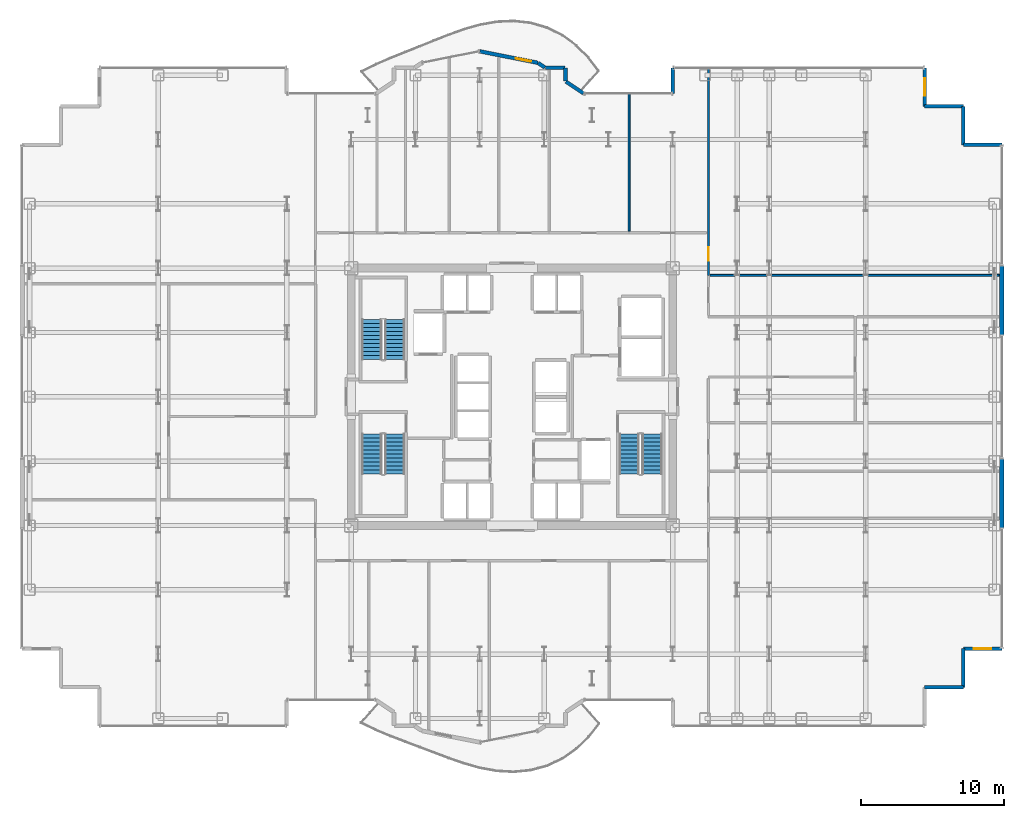
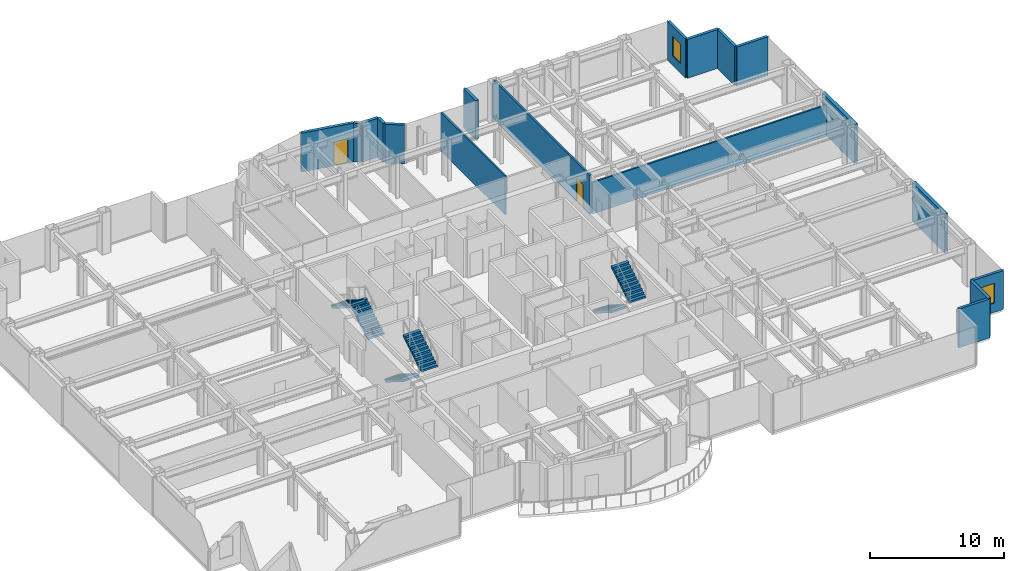
# One storey, part 27 of 29: 18 walls, 6 stair flights, 2 doors, 2 windows, 4 openings, 3 elements without a shape of their own.
"""IFC4 building model written with IfcOpenShell, lengths in metres."""

from ifc_helpers import new_model, si_unit, direction, frame, frame_2d, origin, place, context, subcontext, project, spatial, polyline, rectangle, outline, extrude, source, transform, mapped, material, layer, layer_set, type_object, element, fill, aggregate, save


model = new_model("IFC4")

# Units and contexts
model_context = context("Model", 3, precision=1e-05, world=origin(), true_north=direction((0.0, 1.0)))
body_context = subcontext(model_context, "Body", "Model", "MODEL_VIEW")
ifc_project = project(units=[si_unit("LENGTHUNIT", "METRE"), si_unit("AREAUNIT", "SQUARE_METRE"), si_unit("VOLUMEUNIT", "CUBIC_METRE"), si_unit("PLANEANGLEUNIT", "RADIAN"), si_unit("MASSUNIT", "GRAM", prefix="KILO")], contexts=[model_context])

# Site, building, storey
site_placement = place(None, origin())
site = spatial("IfcSite", under=ifc_project, at=site_placement, CompositionType="ELEMENT")
building_placement = place(site_placement, origin())
building = spatial("IfcBuilding", under=site, at=building_placement, Name="Nefas-Gora Pilgrimage Tower", CompositionType="ELEMENT")
storey_placement = place(building_placement, frame((0.0, 0.0, 136.39990234375)))
storey = spatial("IfcBuildingStorey", under=building, at=storey_placement, Name="L33", CompositionType="ELEMENT", Elevation=136.39990234375)

# Walls
ifc_material_1 = material(Name="Precast concrete C45/55", Category="concrete")
ifc_layer_1 = layer(ifc_material_1, 0.239990234375)
ifc_layer_set_1 = layer_set([ifc_layer_1], Name="Precast concrete C45/55")
wall_type_1 = type_object("IfcWallType", Name="EW-SERR-240", PredefinedType="SHEAR", material=ifc_layer_set_1)
shared_shape_1 = source(origin(), body_context, "Body", "SweptSolid", [
    extrude(rectangle(XDim=4.8798828125, YDim=0.300048828125, at=frame_2d((2.43994140625, 0.0))), origin(), (0.0, 0.0, 1.0), 3.550048828125),
])
for number, where, z_axis, x_axis, name in (
    (1, (34.27001953125, -9.18994140625, 0.0), (0.0, 0.0, 1.0), (0.0, 1.0, 0.0), "L33 Braced-Tube Precast Shear Cladding 3"),
    (2, (34.27001953125, 4.31005859375, 0.0), (0.0, 0.0, 1.0), (0.0, 1.0, 0.0), "L33 Braced-Tube Precast Shear Cladding 4"),
):
    element("IfcWall", number, at=place(storey_placement, frame(where, z_axis=z_axis, x_axis=x_axis)), inside=storey, type_object=wall_type_1, Name=name, PredefinedType="SHEAR", context=body_context, shape_type="MappedRepresentation", body=[
        mapped(shared_shape_1, transform((0.0, 0.0, 0.0), x_axis=(1.0, 0.0, 0.0), y_axis=(0.0, 1.0, 0.0), z_axis=(0.0, 0.0, 1.0), scale=1.0)),
    ])
ifc_material_2 = material(Name="Precast concrete C40/50", Category="concrete")
ifc_layer_2 = layer(ifc_material_2, 0.260009765625)
ifc_layer_set_2 = layer_set([ifc_layer_2], Name="Precast concrete C40/50")
wall_type_2 = type_object("IfcWallType", Name="EW-PORTAL-260", PredefinedType="SOLIDWALL", material=ifc_layer_set_2)
shared_shape_2 = source(origin(), body_context, "Body", "SweptSolid", [
    extrude(rectangle(XDim=1.800048828125, YDim=0.260009765625, at=frame_2d((0.89990234375, 0.0))), origin(), (0.0, 0.0, 1.0), 3.550048828125),
])
wall_1_placement = place(storey_placement, frame((11.25, 23.02001953125, 0.0), z_axis=(0.0, 0.0, 1.0), x_axis=(0.0, -1.0, 0.0)))
element("IfcWall", 3, at=wall_1_placement, inside=storey, type_object=wall_type_2, Name="L33 Lobe Shoulder Precast Spandrel Pier 14", PredefinedType="SOLIDWALL", context=body_context, shape_type="MappedRepresentation", body=[
    mapped(shared_shape_2, transform((0.0, 0.0, 0.0), x_axis=(1.0, 0.0, 0.0), y_axis=(0.0, 1.0, 0.0), z_axis=(0.0, 0.0, 1.0), scale=1.0)),
])
shared_shape_3 = source(origin(), body_context, "Body", "SweptSolid", [
    extrude(rectangle(XDim=2.699951171875, YDim=0.239990234375, at=frame_2d((1.35009765625, 0.0))), origin(), (0.0, 0.0, 1.0), 3.550048828125),
])
for number, where, z_axis, x_axis, name in (
    (4, (28.8701171875, -20.320068359375, 0.0), (0.0, 0.0, 1.0), (1.0, 0.0, 0.0), "L33 Serrated Corner Shear Pier Wall 7"),
    (5, (31.570068359375, -20.320068359375, 0.0), (0.0, 0.0, 1.0), (0.0, 1.0, 0.0), "L33 Serrated Corner Shear Pier Wall 8"),
):
    element("IfcWall", number, at=place(storey_placement, frame(where, z_axis=z_axis, x_axis=x_axis)), inside=storey, type_object=wall_type_1, Name=name, PredefinedType="SHEAR", context=body_context, shape_type="MappedRepresentation", body=[
        mapped(shared_shape_3, transform((0.0, 0.0, 0.0), x_axis=(1.0, 0.0, 0.0), y_axis=(0.0, 1.0, 0.0), z_axis=(0.0, 0.0, 1.0), scale=1.0)),
    ])

# Wall, opening, window
wall_2_placement = place(storey_placement, frame((31.570068359375, -17.6201171875, 0.0), z_axis=(0.0, 0.0, 1.0), x_axis=(1.0, 0.0, 0.0)))
wall_2 = element("IfcWall", 6, at=wall_2_placement, inside=storey, type_object=wall_type_1, Name="L33 Serrated Corner Shear Pier Wall 9", PredefinedType="SHEAR", context=body_context, shape_type="MappedRepresentation", body=[
    mapped(shared_shape_3, transform((0.0, 0.0, 0.0), x_axis=(1.0, 0.0, 0.0), y_axis=(0.0, 1.0, 0.0), z_axis=(0.0, 0.0, 1.0), scale=1.0)),
])
opening_1_placement = place(wall_2_placement, frame((0.75, 0.0, 0.85009765625)))
opening_1 = element("IfcOpeningElement", 7, at=opening_1_placement, cuts=wall_2, Name="Opening W-V1", PredefinedType="OPENING", context=body_context, shape_type="SweptSolid", body=[
    extrude(rectangle(XDim=1.199951171875, YDim=1.800048828125, at=frame_2d((0.60009765625, 0.89990234375))), frame((0.0, 0.1298828125, 0.0), z_axis=(0.0, -1.0, 0.0), x_axis=(1.0, 0.0, 0.0)), (0.0, 0.0, 1.0), 0.260009765625),
])
ifc_material_3 = material(Name="Dark ceramic-fritted operable aluminium-glass window", Category="aluminium")
window_type = type_object("IfcWindowType", Name="WIN-VENT-1200x1800", PartitioningType="SINGLE_PANEL", PredefinedType="WINDOW", material=ifc_material_3)
shared_shape_4 = source(origin(), body_context, "Body", "SweptSolid", [
    extrude(rectangle(XDim=1.199951171875, YDim=1.800048828125, at=frame_2d((0.60009765625, 0.89990234375))), frame((0.0, 0.030029296875, 0.0), z_axis=(0.0, -1.0, 0.0), x_axis=(1.0, 0.0, 0.0)), (0.0, 0.0, 1.0), 0.06005859375),
])
window_1_placement = place(opening_1_placement, origin())
window_1 = element("IfcWindow", 8, at=window_1_placement, inside=storey, type_object=window_type, Name="L33 Operable Parallel-Outswing Window 9", OverallHeight=1.800048828125, OverallWidth=1.199951171875, PartitioningType="SINGLE_PANEL", PredefinedType="WINDOW", context=body_context, shape_type="MappedRepresentation", body=[
    mapped(shared_shape_4, transform((0.0, 0.0, 0.0), x_axis=(1.0, 0.0, 0.0), y_axis=(0.0, 1.0, 0.0), z_axis=(0.0, 0.0, 1.0), scale=1.0)),
])
fill(opening_1, window_1)

# Walls
for number, where, z_axis, x_axis, name in (
    (9, (34.27001953125, 17.6201171875, 0.0), (0.0, 0.0, 1.0), (-1.0, 0.0, 0.0), "L33 Serrated Corner Shear Pier Wall 10"),
    (10, (31.570068359375, 17.6201171875, 0.0), (0.0, 0.0, 1.0), (0.0, 1.0, 0.0), "L33 Serrated Corner Shear Pier Wall 11"),
    (11, (31.570068359375, 20.320068359375, 0.0), (0.0, 0.0, 1.0), (-1.0, 0.0, 0.0), "L33 Serrated Corner Shear Pier Wall 12"),
):
    element("IfcWall", number, at=place(storey_placement, frame(where, z_axis=z_axis, x_axis=x_axis)), inside=storey, type_object=wall_type_1, Name=name, PredefinedType="SHEAR", context=body_context, shape_type="MappedRepresentation", body=[
        mapped(shared_shape_3, transform((0.0, 0.0, 0.0), x_axis=(1.0, 0.0, 0.0), y_axis=(0.0, 1.0, 0.0), z_axis=(0.0, 0.0, 1.0), scale=1.0)),
    ])

# Wall, opening, window
wall_3_placement = place(storey_placement, frame((28.8701171875, 20.320068359375, 0.0), z_axis=(0.0, 0.0, 1.0), x_axis=(0.0, 1.0, 0.0)))
wall_3 = element("IfcWall", 12, at=wall_3_placement, inside=storey, type_object=wall_type_1, Name="L33 Serrated Corner Shear Pier Wall 13", PredefinedType="SHEAR", context=body_context, shape_type="MappedRepresentation", body=[
    mapped(shared_shape_3, transform((0.0, 0.0, 0.0), x_axis=(1.0, 0.0, 0.0), y_axis=(0.0, 1.0, 0.0), z_axis=(0.0, 0.0, 1.0), scale=1.0)),
])
opening_2_placement = place(wall_3_placement, frame((0.75, 0.0, 0.85009765625)))
opening_2 = element("IfcOpeningElement", 13, at=opening_2_placement, cuts=wall_3, Name="Opening W-V1", PredefinedType="OPENING", context=body_context, shape_type="SweptSolid", body=[
    extrude(rectangle(XDim=1.199951171875, YDim=1.800048828125, at=frame_2d((0.60009765625, 0.89990234375))), frame((0.0, 0.1298828125, 0.0), z_axis=(0.0, -1.0, 0.0), x_axis=(1.0, 0.0, 0.0)), (0.0, 0.0, 1.0), 0.260009765625),
])
window_2_placement = place(opening_2_placement, origin())
window_2 = element("IfcWindow", 14, at=window_2_placement, inside=storey, type_object=window_type, Name="L33 Operable Parallel-Outswing Window 13", OverallHeight=1.800048828125, OverallWidth=1.199951171875, PartitioningType="SINGLE_PANEL", PredefinedType="WINDOW", context=body_context, shape_type="MappedRepresentation", body=[
    mapped(shared_shape_4, transform((0.0, 0.0, 0.0), x_axis=(1.0, 0.0, 0.0), y_axis=(0.0, 1.0, 0.0), z_axis=(0.0, 0.0, 1.0), scale=1.0)),
])
fill(opening_2, window_2)

# Walls
shared_shape_5 = source(origin(), body_context, "Body", "SweptSolid", [
    extrude(rectangle(XDim=1.468994140625, YDim=0.260009765625, at=frame_2d((0.734375, 0.0))), origin(), (0.0, 0.0, 1.0), 3.550048828125),
])
wall_4_placement = place(storey_placement, frame((4.99462890625, 21.235595703125, 0.0), z_axis=(0.0, 0.0, 1.0), x_axis=(-0.831461760506, 0.555581983884, 0.0)))
element("IfcWall", 15, at=wall_4_placement, inside=storey, type_object=wall_type_2, Name="L33 Lobe Shoulder Precast Spandrel Pier 15", PredefinedType="SOLIDWALL", context=body_context, shape_type="MappedRepresentation", body=[
    mapped(shared_shape_5, transform((0.0, 0.0, 0.0), x_axis=(1.0, 0.0, 0.0), y_axis=(0.0, 1.0, 0.0), z_axis=(0.0, 0.0, 1.0), scale=1.0)),
])
shared_shape_6 = source(origin(), body_context, "Body", "SweptSolid", [
    extrude(rectangle(XDim=0.896728515625, YDim=0.260009765625, at=frame_2d((0.4482421875, 0.0))), origin(), (0.0, 0.0, 1.0), 3.550048828125),
])
wall_5_placement = place(storey_placement, frame((3.75, 22.09521484375, 0.0), z_axis=(0.0, 0.0, 1.0), x_axis=(0.0, 1.0, 0.0)))
element("IfcWall", 16, at=wall_5_placement, inside=storey, type_object=wall_type_2, Name="L33 Lobe Shoulder Precast Spandrel Pier 16", PredefinedType="SOLIDWALL", context=body_context, shape_type="MappedRepresentation", body=[
    mapped(shared_shape_6, transform((0.0, 0.0, 0.0), x_axis=(1.0, 0.0, 0.0), y_axis=(0.0, 1.0, 0.0), z_axis=(0.0, 0.0, 1.0), scale=1.0)),
])
shared_shape_7 = source(origin(), body_context, "Body", "SweptSolid", [
    extrude(rectangle(XDim=1.369873046875, YDim=0.260009765625, at=frame_2d((0.68505859375, 0.0))), origin(), (0.0, 0.0, 1.0), 3.550048828125),
])
wall_6_placement = place(storey_placement, frame((3.721923828125, 23.02001953125, 0.0), z_axis=(0.0, 0.0, 1.0), x_axis=(-1.0, 0.0, 0.0)))
element("IfcWall", 17, at=wall_6_placement, inside=storey, type_object=wall_type_2, Name="L33 Lobe Shoulder Precast Spandrel Pier 17", PredefinedType="SOLIDWALL", context=body_context, shape_type="MappedRepresentation", body=[
    mapped(shared_shape_7, transform((0.0, 0.0, 0.0), x_axis=(1.0, 0.0, 0.0), y_axis=(0.0, 1.0, 0.0), z_axis=(0.0, 0.0, 1.0), scale=1.0)),
])
shared_shape_8 = source(origin(), body_context, "Body", "SweptSolid", [
    extrude(rectangle(XDim=0.5654296875, YDim=0.260009765625, at=frame_2d((0.28271484375, 0.0))), origin(), (0.0, 0.0, 1.0), 3.550048828125),
])
wall_7_placement = place(storey_placement, frame((2.30078125, 23.03564453125, 0.0), z_axis=(0.0, 0.0, 1.0), x_axis=(-0.831651492666, 0.555297933317, 0.0)))
element("IfcWall", 18, at=wall_7_placement, inside=storey, type_object=wall_type_2, Name="L33 Lobe Shoulder Precast Spandrel Pier 18", PredefinedType="SOLIDWALL", context=body_context, shape_type="MappedRepresentation", body=[
    mapped(shared_shape_8, transform((0.0, 0.0, 0.0), x_axis=(1.0, 0.0, 0.0), y_axis=(0.0, 1.0, 0.0), z_axis=(0.0, 0.0, 1.0), scale=1.0)),
])

# Wall, opening, door
shared_shape_9 = source(origin(), body_context, "Body", "SweptSolid", [
    extrude(rectangle(XDim=4.136962890625, YDim=0.260009765625, at=frame_2d((2.068359375, 0.0))), origin(), (0.0, 0.0, 1.0), 3.550048828125),
])
wall_8_placement = place(storey_placement, frame((1.807373046875, 23.365234375, 0.0), z_axis=(0.0, 0.0, 1.0), x_axis=(-0.980782170794, 0.195105954428, 0.0)))
wall_8 = element("IfcWall", 19, at=wall_8_placement, inside=storey, type_object=wall_type_2, Name="L33 Insulated Terrace Portal Wall 19", PredefinedType="SOLIDWALL", context=body_context, shape_type="MappedRepresentation", body=[
    mapped(shared_shape_9, transform((0.0, 0.0, 0.0), x_axis=(1.0, 0.0, 0.0), y_axis=(0.0, 1.0, 0.0), z_axis=(0.0, 0.0, 1.0), scale=1.0)),
])
opening_3_placement = place(wall_8_placement, frame((0.48779296875, 0.0, 0.0)))
opening_3 = element("IfcOpeningElement", 20, at=opening_3_placement, cuts=wall_8, Name="Opening ED-B1", PredefinedType="OPENING", context=body_context, shape_type="SweptSolid", body=[
    extrude(rectangle(XDim=1.10009765625, YDim=2.199951171875, at=frame_2d((0.550048828125, 1.10009765625))), frame((0.0, 0.139892578125, 0.0), z_axis=(0.0, -1.0, 0.0), x_axis=(1.0, 0.0, 0.0)), (0.0, 0.0, 1.0), 0.280029296875),
])
ifc_material_4 = material(Name="Thermally broken glazed aluminium balcony door", Category="aluminium")
door_type_1 = type_object("IfcDoorType", Name="DR-EXT-BAL-1100", OperationType="NOTDEFINED", PredefinedType="DOOR", material=ifc_material_4)
shared_shape_10 = source(origin(), body_context, "Body", "SweptSolid", [
    extrude(rectangle(XDim=1.10009765625, YDim=2.199951171875, at=frame_2d((0.550048828125, 1.10009765625))), frame((0.0, 0.02490234375, 0.0), z_axis=(0.0, -1.0, 0.0), x_axis=(1.0, 0.0, 0.0)), (0.0, 0.0, 1.0), 0.050048828125),
])
door_1_placement = place(opening_3_placement, origin())
door_1 = element("IfcDoor", 21, at=door_1_placement, inside=storey, type_object=door_type_1, Name="L33 Exterior Door (L33 N Lobe Wave Balcony)", OperationType="SINGLE_SWING_LEFT", OverallHeight=2.199951171875, OverallWidth=1.10009765625, PredefinedType="DOOR", context=body_context, shape_type="MappedRepresentation", body=[
    mapped(shared_shape_10, transform((0.0, 0.0, 0.0), x_axis=(1.0, 0.0, 0.0), y_axis=(0.0, 1.0, 0.0), z_axis=(0.0, 0.0, 1.0), scale=1.0)),
])
fill(opening_3, door_1)

# Wall
ifc_material_5 = material(Name="Gypsum twin-stud partition")
ifc_layer_3 = layer(ifc_material_5, 0.139892578125)
ifc_layer_set_3 = layer_set([ifc_layer_3], Name="Gypsum twin-stud partition")
wall_type_3 = type_object("IfcWallType", Name="IW-UNIT-140", PredefinedType="PARTITIONING", material=ifc_layer_set_3)
shared_shape_11 = source(origin(), body_context, "Body", "SweptSolid", [
    extrude(rectangle(XDim=9.64990234375, YDim=0.139892578125, at=frame_2d((4.824951171875, 0.0))), origin(), (0.0, 0.0, 1.0), 3.53515625),
])
wall_9_placement = place(storey_placement, frame((8.195068359375, 11.590087890625, 0.0), z_axis=(0.0, 0.0, 1.0), x_axis=(0.0, 1.0, 0.0)))
element("IfcWall", 22, at=wall_9_placement, inside=storey, type_object=wall_type_3, Name="L33 Pilgrim Contemplative Lounge Partition Wall 57", PredefinedType="PARTITIONING", context=body_context, shape_type="MappedRepresentation", body=[
    mapped(shared_shape_11, transform((0.0, 0.0, 0.0), x_axis=(1.0, 0.0, 0.0), y_axis=(0.0, 1.0, 0.0), z_axis=(0.0, 0.0, 1.0), scale=1.0)),
])

# Wall, opening, door
ifc_material_6 = material(Name="Gypsum acoustic stud partition")
ifc_layer_4 = layer(ifc_material_6, 0.159912109375)
ifc_layer_set_4 = layer_set([ifc_layer_4], Name="Gypsum acoustic stud partition")
wall_type_4 = type_object("IfcWallType", Name="IW-CORR-160", PredefinedType="PARTITIONING", material=ifc_layer_set_4)
shared_shape_12 = source(origin(), body_context, "Body", "SweptSolid", [
    extrude(rectangle(XDim=14.544921875, YDim=0.159912109375, at=frame_2d((7.2724609375, 0.0))), origin(), (0.0, 0.0, 1.0), 3.53515625),
])
wall_10_placement = place(storey_placement, frame((13.739990234375, 8.4951171875, 0.0), z_axis=(0.0, 0.0, 1.0), x_axis=(0.0, 1.0, 0.0)))
wall_10 = element("IfcWall", 23, at=wall_10_placement, inside=storey, type_object=wall_type_4, Name="L33 Pilgrim Contemplative Lounge Partition Wall 48", PredefinedType="PARTITIONING", context=body_context, shape_type="MappedRepresentation", body=[
    mapped(shared_shape_12, transform((0.0, 0.0, 0.0), x_axis=(1.0, 0.0, 0.0), y_axis=(0.0, 1.0, 0.0), z_axis=(0.0, 0.0, 1.0), scale=1.0)),
])
opening_4_placement = place(wall_10_placement, frame((1.032470703125, 0.0, 0.0)))
opening_4 = element("IfcOpeningElement", 24, at=opening_4_placement, cuts=wall_10, Name="Opening ID-GR1", PredefinedType="OPENING", context=body_context, shape_type="SweptSolid", body=[
    extrude(rectangle(XDim=0.949951171875, YDim=2.10009765625, at=frame_2d((0.47509765625, 1.050048828125))), frame((0.0, 0.08984375, 0.0), z_axis=(0.0, -1.0, 0.0), x_axis=(1.0, 0.0, 0.0)), (0.0, 0.0, 1.0), 0.179931640625),
])
ifc_material_7 = material(Name="Solid core oak fire-rated guest entrance door")
door_type_2 = type_object("IfcDoorType", Name="DR-INT-GUEST-950", OperationType="NOTDEFINED", PredefinedType="DOOR", material=ifc_material_7)
shared_shape_13 = source(origin(), body_context, "Body", "SweptSolid", [
    extrude(rectangle(XDim=0.949951171875, YDim=2.10009765625, at=frame_2d((0.47509765625, 1.050048828125))), frame((0.0, 0.02490234375, 0.0), z_axis=(0.0, -1.0, 0.0), x_axis=(1.0, 0.0, 0.0)), (0.0, 0.0, 1.0), 0.050048828125),
])
door_2_placement = place(opening_4_placement, origin())
door_2 = element("IfcDoor", 25, at=door_2_placement, inside=storey, type_object=door_type_2, Name="L33 Pilgrim Contemplative Lounge Door 21", OperationType="SINGLE_SWING_LEFT", OverallHeight=2.10009765625, OverallWidth=0.949951171875, PredefinedType="DOOR", context=body_context, shape_type="MappedRepresentation", body=[
    mapped(shared_shape_13, transform((0.0, 0.0, 0.0), x_axis=(1.0, 0.0, 0.0), y_axis=(0.0, 1.0, 0.0), z_axis=(0.0, 0.0, 1.0), scale=1.0)),
])
fill(opening_4, door_2)

# Wall
shared_shape_14 = source(origin(), body_context, "Body", "SweptSolid", [
    extrude(rectangle(XDim=20.219970703125, YDim=0.139892578125, at=frame_2d((10.10986328125, 0.0))), origin(), (0.0, 0.0, 1.0), 2.875),
])
wall_11_placement = place(storey_placement, frame((13.860107421875, 8.4951171875, 0.0), z_axis=(0.0, 0.0, 1.0), x_axis=(1.0, 0.0, 0.0)))
element("IfcWall", 26, at=wall_11_placement, inside=storey, type_object=wall_type_3, Name="L33 Pilgrim Contemplative Lounge Partition Wall 47", PredefinedType="PARTITIONING", context=body_context, shape_type="MappedRepresentation", body=[
    mapped(shared_shape_14, transform((0.0, 0.0, 0.0), x_axis=(1.0, 0.0, 0.0), y_axis=(0.0, 1.0, 0.0), z_axis=(0.0, 0.0, 1.0), scale=1.0)),
])

# Stair, stair flights
ifc_material_8 = material(Name="Concrete C45/55", Category="concrete")
stair_type = type_object("IfcStairType", Name="STR-1400-R1727", PredefinedType="HALF_TURN_STAIR", material=ifc_material_8)
stair_1_placement = place(storey_placement, origin())
stair_1 = element("IfcStair", 27, at=stair_1_placement, inside=storey, type_object=stair_type, Name="L33 Pressurised Tower Exit Stair ST-01", PredefinedType="HALF_TURN_STAIR")
stair_flight_type = type_object("IfcStairFlightType", Name="STF-1400-R1727", PredefinedType="STRAIGHT", material=ifc_material_8)
shared_shape_15 = source(origin(), body_context, "Body", "SweptSolid", [
    extrude(outline(polyline([(0.0, 0.0), (0.0, 0.172607421875), (0.280029296875, 0.172607421875), (0.280029296875, 0.345458984375), (0.56005859375, 0.345458984375), (0.56005859375, 0.51806640625), (0.840087890625, 0.51806640625), (0.840087890625, 0.69091796875), (1.1201171875, 0.69091796875), (1.1201171875, 0.863525390625), (1.39990234375, 0.863525390625), (1.39990234375, 1.036376953125), (1.679931640625, 1.036376953125), (1.679931640625, 1.208984375), (1.9599609375, 1.208984375), (1.9599609375, 1.3818359375), (2.239990234375, 1.3818359375), (2.239990234375, 1.554443359375), (2.52001953125, 1.554443359375), (2.52001953125, 1.727294921875), (2.800048828125, 1.727294921875), (2.800048828125, 1.89990234375), (2.800048828125, 1.551025390625), (0.285400390625, 0.0), (0.0, 0.0)])), frame((0.0, 0.699951171875, 0.0), z_axis=(0.0, -1.0, 0.0), x_axis=(1.0, 0.0, 0.0)), (0.0, 0.0, 1.0), 1.39990234375),
])
stair_flight_1_placement = place(storey_placement, frame((-8.199951171875, 2.60009765625, 0.0), z_axis=(0.0, 0.0, 1.0), x_axis=(0.0, 1.0, 0.0)))
stair_flight_1 = element("IfcStairFlight", 28, at=stair_flight_1_placement, type_object=stair_flight_type, Name="ST-01 flight 1", NumberOfRisers=11, NumberOfTreads=10, PredefinedType="STRAIGHT", RiserHeight=0.172727273, TreadLength=0.28, context=body_context, shape_type="MappedRepresentation", body=[
    mapped(shared_shape_15, transform((0.0, 0.0, 0.0), x_axis=(1.0, 0.0, 0.0), y_axis=(0.0, 1.0, 0.0), z_axis=(0.0, 0.0, 1.0), scale=1.0)),
])
stair_flight_2_placement = place(storey_placement, frame((-9.800048828125, 5.39990234375, 1.900146484375), z_axis=(0.0, 0.0, 1.0), x_axis=(0.0, -1.0, 0.0)))
stair_flight_2 = element("IfcStairFlight", 29, at=stair_flight_2_placement, type_object=stair_flight_type, Name="ST-01 flight 2", NumberOfRisers=11, NumberOfTreads=10, PredefinedType="STRAIGHT", RiserHeight=0.172727273, TreadLength=0.28, context=body_context, shape_type="MappedRepresentation", body=[
    mapped(shared_shape_15, transform((0.0, 0.0, 0.0), x_axis=(1.0, 0.0, 0.0), y_axis=(0.0, 1.0, 0.0), z_axis=(0.0, 0.0, 1.0), scale=1.0)),
])
aggregate(stair_1, [stair_flight_1, stair_flight_2])

stair_2_placement = place(storey_placement, origin())
stair_2 = element("IfcStair", 30, at=stair_2_placement, inside=storey, type_object=stair_type, Name="L33 Pressurised Tower Exit Stair ST-02", PredefinedType="HALF_TURN_STAIR")
stair_flight_3_placement = place(storey_placement, frame((8.199951171875, -2.60009765625, 0.0), z_axis=(0.0, 0.0, 1.0), x_axis=(0.0, -1.0, 0.0)))
stair_flight_3 = element("IfcStairFlight", 31, at=stair_flight_3_placement, type_object=stair_flight_type, Name="ST-02 flight 1", NumberOfRisers=11, NumberOfTreads=10, PredefinedType="STRAIGHT", RiserHeight=0.172727273, TreadLength=0.28, context=body_context, shape_type="MappedRepresentation", body=[
    mapped(shared_shape_15, transform((0.0, 0.0, 0.0), x_axis=(1.0, 0.0, 0.0), y_axis=(0.0, 1.0, 0.0), z_axis=(0.0, 0.0, 1.0), scale=1.0)),
])
stair_flight_4_placement = place(storey_placement, frame((9.800048828125, -5.39990234375, 1.900146484375), z_axis=(0.0, 0.0, 1.0), x_axis=(0.0, 1.0, 0.0)))
stair_flight_4 = element("IfcStairFlight", 32, at=stair_flight_4_placement, type_object=stair_flight_type, Name="ST-02 flight 2", NumberOfRisers=11, NumberOfTreads=10, PredefinedType="STRAIGHT", RiserHeight=0.172727273, TreadLength=0.28, context=body_context, shape_type="MappedRepresentation", body=[
    mapped(shared_shape_15, transform((0.0, 0.0, 0.0), x_axis=(1.0, 0.0, 0.0), y_axis=(0.0, 1.0, 0.0), z_axis=(0.0, 0.0, 1.0), scale=1.0)),
])
aggregate(stair_2, [stair_flight_3, stair_flight_4])

stair_3_placement = place(storey_placement, origin())
stair_3 = element("IfcStair", 33, at=stair_3_placement, inside=storey, type_object=stair_type, Name="L33 Pressurised Tower Exit Stair ST-03", PredefinedType="HALF_TURN_STAIR")
stair_flight_5_placement = place(storey_placement, frame((-9.800048828125, -2.60009765625, 0.0), z_axis=(0.0, 0.0, 1.0), x_axis=(0.0, -1.0, 0.0)))
stair_flight_5 = element("IfcStairFlight", 34, at=stair_flight_5_placement, type_object=stair_flight_type, Name="ST-03 flight 1", NumberOfRisers=11, NumberOfTreads=10, PredefinedType="STRAIGHT", RiserHeight=0.172727273, TreadLength=0.28, context=body_context, shape_type="MappedRepresentation", body=[
    mapped(shared_shape_15, transform((0.0, 0.0, 0.0), x_axis=(1.0, 0.0, 0.0), y_axis=(0.0, 1.0, 0.0), z_axis=(0.0, 0.0, 1.0), scale=1.0)),
])
stair_flight_6_placement = place(storey_placement, frame((-8.199951171875, -5.39990234375, 1.900146484375), z_axis=(0.0, 0.0, 1.0), x_axis=(0.0, 1.0, 0.0)))
stair_flight_6 = element("IfcStairFlight", 35, at=stair_flight_6_placement, type_object=stair_flight_type, Name="ST-03 flight 2", NumberOfRisers=11, NumberOfTreads=10, PredefinedType="STRAIGHT", RiserHeight=0.172727273, TreadLength=0.28, context=body_context, shape_type="MappedRepresentation", body=[
    mapped(shared_shape_15, transform((0.0, 0.0, 0.0), x_axis=(1.0, 0.0, 0.0), y_axis=(0.0, 1.0, 0.0), z_axis=(0.0, 0.0, 1.0), scale=1.0)),
])
aggregate(stair_3, [stair_flight_5, stair_flight_6])

save(model, "model.ifc")
